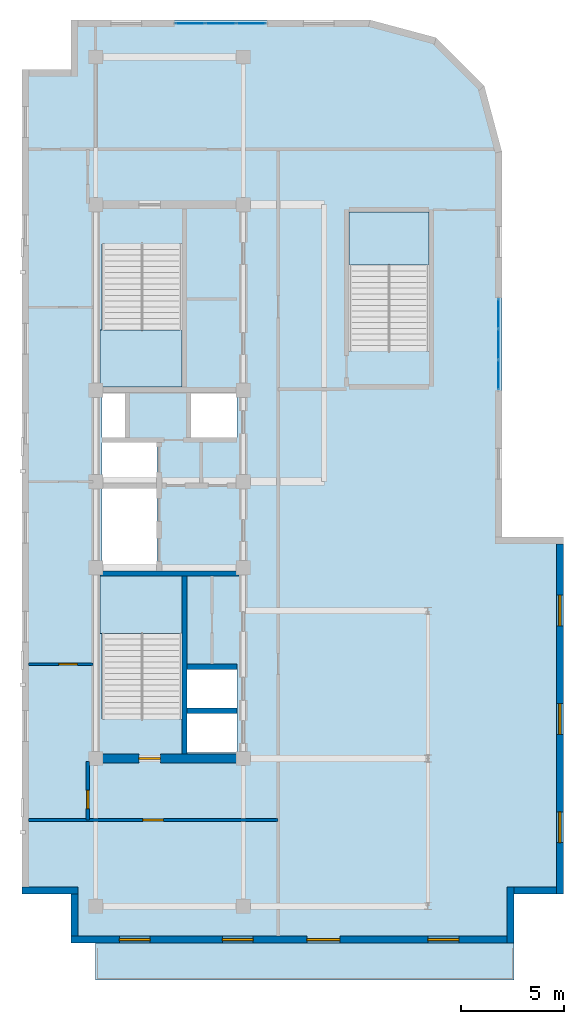
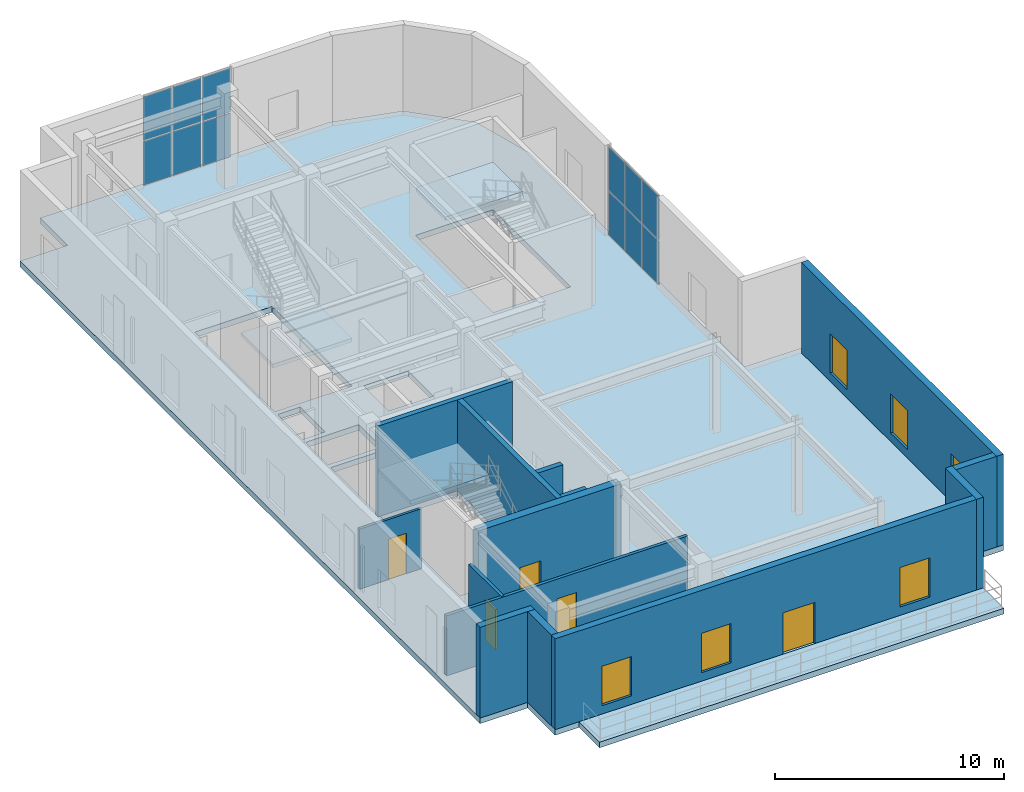
# One storey, part 6 of 10: 14 walls, 12 plates, 6 windows, 5 doors, 5 slabs, 11 openings, 5 elements without a shape of their own.
"""IFC4 building model written with IfcOpenShell, lengths in metres."""

from ifc_helpers import new_model, entity, si_unit, converted_unit, direction, frame, origin_with_axes, origin_2d_with_axis, place, context, subcontext, project, spatial, polyline, rectangle, outline, extrude, material, layer, layer_set, type_object, element, fill, aggregate, save


model = new_model("IFC4")

# Units and contexts
model_context = context("Model", 3, precision=1e-05, world=origin_with_axes(), true_north=direction((0.0, 1.0)))
body_context = subcontext(model_context, "Body", "Model", "MODEL_VIEW")
ifc_project = project(units=[si_unit("LENGTHUNIT", "METRE"), si_unit("AREAUNIT", "SQUARE_METRE"), si_unit("VOLUMEUNIT", "CUBIC_METRE"), converted_unit("PLANEANGLEUNIT", "DEGREE", entity("IfcPlaneAngleMeasure", 0.017453292519943295), si_unit("PLANEANGLEUNIT", "RADIAN"), dimensions=[0, 0, 0, 0, 0, 0, 0]), si_unit("MASSUNIT", "GRAM", prefix="KILO"), si_unit("THERMODYNAMICTEMPERATUREUNIT", "KELVIN")], contexts=[model_context])

# Site, building, storey
site_placement = place(None, origin_with_axes())
site = spatial("IfcSite", under=ifc_project, at=site_placement, CompositionType="ELEMENT")
building_placement = place(site_placement, origin_with_axes())
building = spatial("IfcBuilding", under=site, at=building_placement, Name="Varnlund Millrace Tower", CompositionType="ELEMENT")
storey_placement = place(building_placement, frame((0.0, 0.0, 303.6), z_axis=(0.0, 0.0, 1.0), x_axis=(1.0, 0.0, 0.0)))
storey = spatial("IfcBuildingStorey", under=building, at=storey_placement, Name="L75", CompositionType="ELEMENT", Elevation=303.6)

# Curtain wall, plates
ifc_material_1 = material(Name="Thermally broken architectural bronze curtain wall", Category="aluminium")
curtain_wall_type = type_object("IfcCurtainWallType", Name="Type-CW-Sys5-SkyLobby2Pool", PredefinedType="NOTDEFINED", material=ifc_material_1)
curtain_wall_1_placement = place(storey_placement, frame((31.03, 33.25, 0.0), z_axis=(0.0, 0.0, 1.0), x_axis=(1.0, 0.0, 0.0)))
curtain_wall_1 = element("IfcCurtainWall", 1, at=curtain_wall_1_placement, inside=storey, type_object=curtain_wall_type, Name="Type-CW-Sys5-SkyLobby2Pool", PredefinedType="NOTDEFINED")
ifc_material_2 = material(Name="Low-e argon triple-glazed curtain-wall unit", Category="glass")
ifc_layer_1 = layer(ifc_material_2, 0.028, Name="Low-e argon triple-glazed curtain-wall unit")
ifc_layer_set_1 = layer_set([ifc_layer_1], Name="Low-e argon triple-glazed curtain-wall unit")
plate_type = type_object("IfcPlateType", Name="Type-CW-Panel-TripleGlazed-28", PredefinedType="CURTAIN_PANEL", material=ifc_layer_set_1)
plate_1_placement = place(storey_placement, frame((31.03, 32.485, 0.06), z_axis=(0.0, 0.0, 1.0), x_axis=(0.0, -1.0, 0.0)))
plate_1 = element("IfcPlate", 2, at=plate_1_placement, type_object=plate_type, Name="CW-05 panel 1.1", PredefinedType="CURTAIN_PANEL", context=body_context, shape_type="SweptSolid", body=[
    extrude(rectangle(XDim=1.41, YDim=0.028, at=origin_2d_with_axis()), origin_with_axes(), (0.0, 0.0, 1.0), 2.33),
])
plate_2_placement = place(storey_placement, frame((31.03, 32.485, 2.45), z_axis=(0.0, 0.0, 1.0), x_axis=(0.0, -1.0, 0.0)))
plate_2 = element("IfcPlate", 3, at=plate_2_placement, type_object=plate_type, Name="CW-05 panel 1.2", PredefinedType="CURTAIN_PANEL", context=body_context, shape_type="SweptSolid", body=[
    extrude(rectangle(XDim=1.41, YDim=0.028, at=origin_2d_with_axis()), origin_with_axes(), (0.0, 0.0, 1.0), 2.33),
])
plate_3_placement = place(storey_placement, frame((31.03, 31.0, 0.06), z_axis=(0.0, 0.0, 1.0), x_axis=(0.0, -1.0, 0.0)))
plate_3 = element("IfcPlate", 4, at=plate_3_placement, type_object=plate_type, Name="CW-05 panel 2.1", PredefinedType="CURTAIN_PANEL", context=body_context, shape_type="SweptSolid", body=[
    extrude(rectangle(XDim=1.44, YDim=0.028, at=origin_2d_with_axis()), origin_with_axes(), (0.0, 0.0, 1.0), 2.33),
])
plate_4_placement = place(storey_placement, frame((31.03, 31.0, 2.45), z_axis=(0.0, 0.0, 1.0), x_axis=(0.0, -1.0, 0.0)))
plate_4 = element("IfcPlate", 5, at=plate_4_placement, type_object=plate_type, Name="CW-05 panel 2.2", PredefinedType="CURTAIN_PANEL", context=body_context, shape_type="SweptSolid", body=[
    extrude(rectangle(XDim=1.44, YDim=0.028, at=origin_2d_with_axis()), origin_with_axes(), (0.0, 0.0, 1.0), 2.33),
])
plate_5_placement = place(storey_placement, frame((31.03, 29.515, 0.06), z_axis=(0.0, 0.0, 1.0), x_axis=(0.0, -1.0, 0.0)))
plate_5 = element("IfcPlate", 6, at=plate_5_placement, type_object=plate_type, Name="CW-05 panel 3.1", PredefinedType="CURTAIN_PANEL", context=body_context, shape_type="SweptSolid", body=[
    extrude(rectangle(XDim=1.41, YDim=0.028, at=origin_2d_with_axis()), origin_with_axes(), (0.0, 0.0, 1.0), 2.33),
])
plate_6_placement = place(storey_placement, frame((31.03, 29.515, 2.45), z_axis=(0.0, 0.0, 1.0), x_axis=(0.0, -1.0, 0.0)))
plate_6 = element("IfcPlate", 7, at=plate_6_placement, type_object=plate_type, Name="CW-05 panel 3.2", PredefinedType="CURTAIN_PANEL", context=body_context, shape_type="SweptSolid", body=[
    extrude(rectangle(XDim=1.41, YDim=0.028, at=origin_2d_with_axis()), origin_with_axes(), (0.0, 0.0, 1.0), 2.33),
])
aggregate(curtain_wall_1, [plate_1, plate_2, plate_3, plate_4, plate_5, plate_6])

curtain_wall_2_placement = place(storey_placement, frame((15.25, 46.63, 0.0), z_axis=(0.0, 0.0, 1.0), x_axis=(1.0, 0.0, 0.0)))
curtain_wall_2 = element("IfcCurtainWall", 8, at=curtain_wall_2_placement, inside=storey, type_object=curtain_wall_type, Name="Type-CW-Sys5-SkyLobby2Pool", PredefinedType="NOTDEFINED")
plate_7_placement = place(storey_placement, frame((16.015, 46.63, 0.06), z_axis=(0.0, 0.0, 1.0), x_axis=(1.0, 0.0, 0.0)))
plate_7 = element("IfcPlate", 9, at=plate_7_placement, type_object=plate_type, Name="CW-05 panel 1.1", PredefinedType="CURTAIN_PANEL", context=body_context, shape_type="SweptSolid", body=[
    extrude(rectangle(XDim=1.41, YDim=0.028, at=origin_2d_with_axis()), origin_with_axes(), (0.0, 0.0, 1.0), 2.33),
])
plate_8_placement = place(storey_placement, frame((16.015, 46.63, 2.45), z_axis=(0.0, 0.0, 1.0), x_axis=(1.0, 0.0, 0.0)))
plate_8 = element("IfcPlate", 10, at=plate_8_placement, type_object=plate_type, Name="CW-05 panel 1.2", PredefinedType="CURTAIN_PANEL", context=body_context, shape_type="SweptSolid", body=[
    extrude(rectangle(XDim=1.41, YDim=0.028, at=origin_2d_with_axis()), origin_with_axes(), (0.0, 0.0, 1.0), 2.33),
])
plate_9_placement = place(storey_placement, frame((17.5, 46.63, 0.06), z_axis=(0.0, 0.0, 1.0), x_axis=(1.0, 0.0, 0.0)))
plate_9 = element("IfcPlate", 11, at=plate_9_placement, type_object=plate_type, Name="CW-05 panel 2.1", PredefinedType="CURTAIN_PANEL", context=body_context, shape_type="SweptSolid", body=[
    extrude(rectangle(XDim=1.44, YDim=0.028, at=origin_2d_with_axis()), origin_with_axes(), (0.0, 0.0, 1.0), 2.33),
])
plate_10_placement = place(storey_placement, frame((17.5, 46.63, 2.45), z_axis=(0.0, 0.0, 1.0), x_axis=(1.0, 0.0, 0.0)))
plate_10 = element("IfcPlate", 12, at=plate_10_placement, type_object=plate_type, Name="CW-05 panel 2.2", PredefinedType="CURTAIN_PANEL", context=body_context, shape_type="SweptSolid", body=[
    extrude(rectangle(XDim=1.44, YDim=0.028, at=origin_2d_with_axis()), origin_with_axes(), (0.0, 0.0, 1.0), 2.33),
])
plate_11_placement = place(storey_placement, frame((18.985, 46.63, 0.06), z_axis=(0.0, 0.0, 1.0), x_axis=(1.0, 0.0, 0.0)))
plate_11 = element("IfcPlate", 13, at=plate_11_placement, type_object=plate_type, Name="CW-05 panel 3.1", PredefinedType="CURTAIN_PANEL", context=body_context, shape_type="SweptSolid", body=[
    extrude(rectangle(XDim=1.41, YDim=0.028, at=origin_2d_with_axis()), origin_with_axes(), (0.0, 0.0, 1.0), 2.33),
])
plate_12_placement = place(storey_placement, frame((18.985, 46.63, 2.45), z_axis=(0.0, 0.0, 1.0), x_axis=(1.0, 0.0, 0.0)))
plate_12 = element("IfcPlate", 14, at=plate_12_placement, type_object=plate_type, Name="CW-05 panel 3.2", PredefinedType="CURTAIN_PANEL", context=body_context, shape_type="SweptSolid", body=[
    extrude(rectangle(XDim=1.41, YDim=0.028, at=origin_2d_with_axis()), origin_with_axes(), (0.0, 0.0, 1.0), 2.33),
])
aggregate(curtain_wall_2, [plate_7, plate_8, plate_9, plate_10, plate_11, plate_12])

# Slabs
ifc_material_3 = material(Name="Concrete C50/60", Category="concrete")
ifc_layer_2 = layer(ifc_material_3, 0.3, Name="Concrete C50/60")
ifc_layer_set_2 = layer_set([ifc_layer_2], Name="Concrete C50/60")
slab_type_1 = type_object("IfcSlabType", Name="Type-Cap-Deck-Terrace-300", PredefinedType="ROOF", material=ifc_layer_set_2)
slab_1_placement = place(storey_placement, frame((0.0, 0.0, -0.3), z_axis=(0.0, 0.0, 1.0), x_axis=(1.0, 0.0, 0.0)))
element("IfcSlab", 15, at=slab_1_placement, inside=storey, type_object=slab_type_1, Name="Roof terrace", PredefinedType="ROOF", context=body_context, shape_type="SweptSolid", body=[
    extrude(outline(polyline([(31.8, 0.0), (31.8, 1.8), (11.4, 1.8), (11.4, 0.0), (31.8, 0.0)])), origin_with_axes(), (0.0, 0.0, 1.0), 0.3),
])
ifc_material_4 = material(Name="Concrete C70/85", Category="concrete")
ifc_layer_3 = layer(ifc_material_4, 0.3, Name="Concrete C70/85")
ifc_layer_set_3 = layer_set([ifc_layer_3], Name="Concrete C70/85")
slab_type_2 = type_object("IfcSlabType", Name="Type-Deck-Plate-Transfer-300", PredefinedType="FLOOR", material=ifc_layer_set_3)
slab_2_placement = place(storey_placement, frame((0.0, 0.0, -0.3), z_axis=(0.0, 0.0, 1.0), x_axis=(1.0, 0.0, 0.0)))
element("IfcSlab", 16, at=slab_2_placement, inside=storey, type_object=slab_type_2, Name="Type-Deck-Plate-Transfer-300", PredefinedType="FLOOR", context=body_context, shape_type="SweptSolid", body=[
    extrude(outline(polyline([(34.2, 21.6), (31.2, 21.6), (31.2, 40.4), (30.343, 43.6), (28.0, 45.943), (24.8, 46.8), (10.2, 46.8), (10.2, 44.4), (7.8, 44.4), (7.8, 4.2), (10.2, 4.2), (10.2, 1.8), (31.8, 1.8), (31.8, 4.2), (34.2, 4.2), (34.2, 21.6)]), holes=[polyline([(18.3, 13.1), (18.3, 11.1), (15.84, 11.1), (15.84, 13.1), (18.3, 13.1)]), polyline([(18.3, 15.24), (18.3, 13.16), (15.84, 13.16), (15.84, 15.24), (18.3, 15.24)]), polyline([(15.6, 19.7), (15.6, 12.715), (11.7, 12.715), (11.7, 19.7), (15.6, 19.7)]), polyline([(11.7, 23.98), (14.38, 23.98), (14.38, 19.94), (11.7, 19.94), (11.7, 23.98)]), polyline([(14.38, 26.2), (14.38, 24.24), (11.7, 24.24), (11.7, 26.2), (14.38, 26.2)]), polyline([(12.84, 28.65), (12.84, 26.46), (11.7, 26.46), (11.7, 28.65), (12.84, 28.65)]), polyline([(18.3, 28.65), (18.3, 26.46), (16.04, 26.46), (16.04, 28.65), (18.3, 28.65)]), polyline([(15.6, 28.9), (11.7, 28.9), (11.7, 35.885), (15.6, 35.885), (15.6, 28.9)]), polyline([(27.65, 30.665), (23.75, 30.665), (23.75, 37.45), (27.65, 37.45), (27.65, 30.665)])]), origin_with_axes(), (0.0, 0.0, 1.0), 0.3),
])

# Stair, slab
stair_type = type_object("IfcStairType", Name="Type-Stair-Dogleg-185-510", PredefinedType="HALF_TURN_STAIR", material=ifc_material_3)
stair_1_placement = place(storey_placement, origin_with_axes())
stair_1 = element("IfcStair", 17, at=stair_1_placement, inside=storey, type_object=stair_type, Name="Type-Stair-Dogleg-185-510", PredefinedType="HALF_TURN_STAIR")
ifc_layer_4 = layer(ifc_material_3, 0.2, Name="Concrete C50/60")
ifc_layer_set_4 = layer_set([ifc_layer_4], Name="Concrete C50/60")
slab_type_3 = type_object("IfcSlabType", Name="Type-StairLanding-200", PredefinedType="LANDING", material=ifc_layer_set_4)
slab_3_placement = place(storey_placement, frame((0.0, 0.0, 2.35), z_axis=(0.0, 0.0, 1.0), x_axis=(1.0, 0.0, 0.0)))
slab_3 = element("IfcSlab", 18, at=slab_3_placement, type_object=slab_type_3, Name="ST-A1 landing 1", PredefinedType="LANDING", context=body_context, shape_type="SweptSolid", body=[
    extrude(outline(polyline([(15.6, 16.9), (15.6, 19.7), (11.61, 19.7), (11.61, 16.9), (15.6, 16.9)])), origin_with_axes(), (0.0, 0.0, 1.0), 0.2),
])
aggregate(stair_1, [slab_3])

stair_2_placement = place(storey_placement, origin_with_axes())
stair_2 = element("IfcStair", 19, at=stair_2_placement, inside=storey, type_object=stair_type, Name="Type-Stair-Dogleg-185-510", PredefinedType="HALF_TURN_STAIR")
slab_4_placement = place(storey_placement, frame((0.0, 0.0, 2.35), z_axis=(0.0, 0.0, 1.0), x_axis=(1.0, 0.0, 0.0)))
slab_4 = element("IfcSlab", 20, at=slab_4_placement, type_object=slab_type_3, Name="ST-A2 landing 1", PredefinedType="LANDING", context=body_context, shape_type="SweptSolid", body=[
    extrude(outline(polyline([(11.61, 31.7), (11.61, 28.9), (15.6, 28.9), (15.6, 31.7), (11.61, 31.7)])), origin_with_axes(), (0.0, 0.0, 1.0), 0.2),
])
aggregate(stair_2, [slab_4])

stair_3_placement = place(storey_placement, origin_with_axes())
stair_3 = element("IfcStair", 21, at=stair_3_placement, inside=storey, type_object=stair_type, Name="Type-Stair-Dogleg-185-510", PredefinedType="HALF_TURN_STAIR")
slab_5_placement = place(storey_placement, frame((0.0, 0.0, 2.35), z_axis=(0.0, 0.0, 1.0), x_axis=(1.0, 0.0, 0.0)))
slab_5 = element("IfcSlab", 22, at=slab_5_placement, type_object=slab_type_3, Name="ST-A3 landing 1", PredefinedType="LANDING", context=body_context, shape_type="SweptSolid", body=[
    extrude(outline(polyline([(27.65, 34.85), (27.65, 37.45), (23.75, 37.45), (23.75, 34.85), (27.65, 34.85)])), origin_with_axes(), (0.0, 0.0, 1.0), 0.2),
])
aggregate(stair_3, [slab_5])

# Wall, opening, door
ifc_material_5 = material(Name="Concrete C60/75", Category="concrete")
ifc_layer_5 = layer(ifc_material_5, 0.42, Name="Concrete C60/75")
ifc_layer_set_5 = layer_set([ifc_layer_5], Name="Concrete C60/75")
wall_type_1 = type_object("IfcWallType", Name="Type-CoreWall-Shear-420-C60", PredefinedType="SHEAR", material=ifc_layer_set_5)
wall_1_placement = place(storey_placement, frame((11.4, 10.8, 0.0), z_axis=(0.0, 0.0, 1.0), x_axis=(1.0, 0.0, 0.0)))
wall_1 = element("IfcWall", 23, at=wall_1_placement, inside=storey, type_object=wall_type_1, Name="Type-CoreWall-Shear-420-C60", PredefinedType="SHEAR", context=body_context, shape_type="SweptSolid", body=[
    extrude(outline(polyline([(0.0, -0.21), (7.2, -0.21), (7.2, 0.21), (0.0, 0.21), (0.0, -0.21)])), origin_with_axes(), (0.0, 0.0, 1.0), 4.84),
])
opening_1_placement = place(wall_1_placement, frame((2.625, 0.0, 0.0), z_axis=(0.0, 0.0, 1.0), x_axis=(1.0, 0.0, 0.0)))
opening_1 = element("IfcOpeningElement", 24, at=opening_1_placement, cuts=wall_1, Name="Opening L75:DR-STA1", PredefinedType="OPENING", context=body_context, shape_type="SweptSolid", body=[
    extrude(rectangle(XDim=1.05, YDim=0.44, at=origin_2d_with_axis()), origin_with_axes(), (0.0, 0.0, 1.0), 2.15),
])
ifc_material_6 = material(Name="Fire-rated hollow steel door", Category="steel")
door_type_1 = type_object("IfcDoorType", Name="Type-FireDoor-Stair-1050X2150", OperationType="NOTDEFINED", PredefinedType="DOOR", material=ifc_material_6)
door_1_placement = place(wall_1_placement, frame((2.625, 0.0, 0.0), z_axis=(0.0, 0.0, 1.0), x_axis=(1.0, 0.0, 0.0)))
door_1 = element("IfcDoor", 25, at=door_1_placement, inside=storey, type_object=door_type_1, Name="Type-FireDoor-Stair-1050X2150", OperationType="SINGLE_SWING_LEFT", OverallHeight=2.15, OverallWidth=1.05, PredefinedType="DOOR", context=body_context, shape_type="SweptSolid", body=[
    extrude(rectangle(XDim=1.05, YDim=0.09, at=origin_2d_with_axis()), origin_with_axes(), (0.0, 0.0, 1.0), 2.15),
])
fill(opening_1, door_1)

# Walls
ifc_material_7 = material(Name="Precast concrete C50/60", Category="concrete")
ifc_layer_6 = layer(ifc_material_7, 0.34, Name="Precast concrete C50/60")
ifc_layer_set_6 = layer_set([ifc_layer_6], Name="Precast concrete C50/60")
wall_type_2 = type_object("IfcWallType", Name="Type-ExtWall-Precast-Upper-340", PredefinedType="SOLIDWALL", material=ifc_layer_set_6)
wall_2_placement = place(storey_placement, frame((33.86, 4.37, 0.0), z_axis=(0.0, 0.0, 1.0), x_axis=(-1.0, 0.0, 0.0)))
element("IfcWall", 26, at=wall_2_placement, inside=storey, type_object=wall_type_2, Name="Type-ExtWall-Precast-Upper-340", PredefinedType="SOLIDWALL", context=body_context, shape_type="SweptSolid", body=[
    extrude(outline(polyline([(0.0, -0.17), (2.06, -0.17), (2.06, 0.17), (0.0, 0.17), (0.0, -0.17)])), origin_with_axes(), (0.0, 0.0, 1.0), 4.84),
])
wall_3_placement = place(storey_placement, frame((31.63, 4.54, 0.0), z_axis=(0.0, 0.0, 1.0), x_axis=(0.0, -1.0, 0.0)))
element("IfcWall", 27, at=wall_3_placement, inside=storey, type_object=wall_type_2, Name="Type-ExtWall-Precast-Upper-340", PredefinedType="SOLIDWALL", context=body_context, shape_type="SweptSolid", body=[
    extrude(outline(polyline([(0.0, -0.17), (2.74, -0.17), (2.74, 0.17), (0.0, 0.17), (0.0, -0.17)])), origin_with_axes(), (0.0, 0.0, 1.0), 4.84),
])

# Wall, openings, door, windows
wall_4_placement = place(storey_placement, frame((31.46, 1.97, 0.0), z_axis=(0.0, 0.0, 1.0), x_axis=(-1.0, 0.0, 0.0)))
wall_4 = element("IfcWall", 28, at=wall_4_placement, inside=storey, type_object=wall_type_2, Name="Type-ExtWall-Precast-Upper-340", PredefinedType="SOLIDWALL", context=body_context, shape_type="SweptSolid", body=[
    extrude(outline(polyline([(0.0, -0.17), (21.26, -0.17), (21.26, 0.17), (0.0, 0.17), (0.0, -0.17)])), origin_with_axes(), (0.0, 0.0, 1.0), 4.84),
])
opening_2_placement = place(wall_4_placement, frame((8.96, 0.0, 0.0), z_axis=(0.0, 0.0, 1.0), x_axis=(1.0, 0.0, 0.0)))
opening_2 = element("IfcOpeningElement", 29, at=opening_2_placement, cuts=wall_4, Name="Opening L75:DR-TERR-L75", PredefinedType="OPENING", context=body_context, shape_type="SweptSolid", body=[
    extrude(rectangle(XDim=1.6, YDim=0.36, at=origin_2d_with_axis()), origin_with_axes(), (0.0, 0.0, 1.0), 2.2),
])
opening_3_placement = place(wall_4_placement, frame((3.108, 0.0, 0.45), z_axis=(0.0, 0.0, 1.0), x_axis=(1.0, 0.0, 0.0)))
opening_3 = element("IfcOpeningElement", 30, at=opening_3_placement, cuts=wall_4, Name="Opening L75:WN-01", PredefinedType="OPENING", context=body_context, shape_type="SweptSolid", body=[
    extrude(rectangle(XDim=1.5, YDim=0.36, at=origin_2d_with_axis()), origin_with_axes(), (0.0, 0.0, 1.0), 2.1),
])
opening_4_placement = place(wall_4_placement, frame((13.138, 0.0, 0.45), z_axis=(0.0, 0.0, 1.0), x_axis=(1.0, 0.0, 0.0)))
opening_4 = element("IfcOpeningElement", 31, at=opening_4_placement, cuts=wall_4, Name="Opening L75:WN-02", PredefinedType="OPENING", context=body_context, shape_type="SweptSolid", body=[
    extrude(rectangle(XDim=1.5, YDim=0.36, at=origin_2d_with_axis()), origin_with_axes(), (0.0, 0.0, 1.0), 2.1),
])
opening_5_placement = place(wall_4_placement, frame((18.153, 0.0, 0.45), z_axis=(0.0, 0.0, 1.0), x_axis=(1.0, 0.0, 0.0)))
opening_5 = element("IfcOpeningElement", 32, at=opening_5_placement, cuts=wall_4, Name="Opening L75:WN-03", PredefinedType="OPENING", context=body_context, shape_type="SweptSolid", body=[
    extrude(rectangle(XDim=1.5, YDim=0.36, at=origin_2d_with_axis()), origin_with_axes(), (0.0, 0.0, 1.0), 2.1),
])
ifc_material_8 = material(Name="Thermally broken architectural bronze and insulated glass door", Category="glass")
door_type_2 = type_object("IfcDoorType", Name="Type-ExtDoor-Terrace-1600X2200", OperationType="NOTDEFINED", PredefinedType="DOOR", material=ifc_material_8)
door_2_placement = place(wall_4_placement, frame((8.96, 0.0, 0.0), z_axis=(0.0, 0.0, 1.0), x_axis=(1.0, 0.0, 0.0)))
door_2 = element("IfcDoor", 33, at=door_2_placement, inside=storey, type_object=door_type_2, Name="Type-ExtDoor-Terrace-1600X2200", OperationType="DOUBLE_DOOR_SINGLE_SWING", OverallHeight=2.2, OverallWidth=1.6, PredefinedType="DOOR", context=body_context, shape_type="SweptSolid", body=[
    extrude(rectangle(XDim=1.6, YDim=0.09, at=origin_2d_with_axis()), origin_with_axes(), (0.0, 0.0, 1.0), 2.2),
])
fill(opening_2, door_2)
ifc_material_9 = material(Name="Argon low-e triple glazing in thermally broken bronze frame", Category="glass")
window_type = type_object("IfcWindowType", Name="Type-Window-Punched-1500X2100", PartitioningType="SINGLE_PANEL", PredefinedType="WINDOW", material=ifc_material_9)
window_1_placement = place(wall_4_placement, frame((3.108, 0.0, 0.45), z_axis=(0.0, 0.0, 1.0), x_axis=(1.0, 0.0, 0.0)))
window_1 = element("IfcWindow", 34, at=window_1_placement, inside=storey, type_object=window_type, Name="Type-Window-Punched-1500X2100", OverallHeight=2.1, OverallWidth=1.5, PredefinedType="WINDOW", context=body_context, shape_type="SweptSolid", body=[
    extrude(rectangle(XDim=1.5, YDim=0.09, at=origin_2d_with_axis()), origin_with_axes(), (0.0, 0.0, 1.0), 2.1),
])
fill(opening_3, window_1)
window_2_placement = place(wall_4_placement, frame((13.138, 0.0, 0.45), z_axis=(0.0, 0.0, 1.0), x_axis=(1.0, 0.0, 0.0)))
window_2 = element("IfcWindow", 35, at=window_2_placement, inside=storey, type_object=window_type, Name="Type-Window-Punched-1500X2100", OverallHeight=2.1, OverallWidth=1.5, PredefinedType="WINDOW", context=body_context, shape_type="SweptSolid", body=[
    extrude(rectangle(XDim=1.5, YDim=0.09, at=origin_2d_with_axis()), origin_with_axes(), (0.0, 0.0, 1.0), 2.1),
])
fill(opening_4, window_2)
window_3_placement = place(wall_4_placement, frame((18.153, 0.0, 0.45), z_axis=(0.0, 0.0, 1.0), x_axis=(1.0, 0.0, 0.0)))
window_3 = element("IfcWindow", 36, at=window_3_placement, inside=storey, type_object=window_type, Name="Type-Window-Punched-1500X2100", OverallHeight=2.1, OverallWidth=1.5, PredefinedType="WINDOW", context=body_context, shape_type="SweptSolid", body=[
    extrude(rectangle(XDim=1.5, YDim=0.09, at=origin_2d_with_axis()), origin_with_axes(), (0.0, 0.0, 1.0), 2.1),
])
fill(opening_5, window_3)

# Walls
wall_5_placement = place(storey_placement, frame((10.37, 2.14, 0.0), z_axis=(0.0, 0.0, 1.0), x_axis=(0.0, 1.0, 0.0)))
element("IfcWall", 37, at=wall_5_placement, inside=storey, type_object=wall_type_2, Name="Type-ExtWall-Precast-Upper-340", PredefinedType="SOLIDWALL", context=body_context, shape_type="SweptSolid", body=[
    extrude(outline(polyline([(0.0, -0.17), (2.06, -0.17), (2.06, 0.17), (0.0, 0.17), (0.0, -0.17)])), origin_with_axes(), (0.0, 0.0, 1.0), 4.84),
])
wall_6_placement = place(storey_placement, frame((10.54, 4.37, 0.0), z_axis=(0.0, 0.0, 1.0), x_axis=(-1.0, 0.0, 0.0)))
element("IfcWall", 38, at=wall_6_placement, inside=storey, type_object=wall_type_2, Name="Type-ExtWall-Precast-Upper-340", PredefinedType="SOLIDWALL", context=body_context, shape_type="SweptSolid", body=[
    extrude(outline(polyline([(0.0, -0.17), (2.74, -0.17), (2.74, 0.17), (0.0, 0.17), (0.0, -0.17)])), origin_with_axes(), (0.0, 0.0, 1.0), 4.84),
])

# Wall, openings, windows
wall_7_placement = place(storey_placement, frame((34.03, 21.26, 0.0), z_axis=(0.0, 0.0, 1.0), x_axis=(0.0, -1.0, 0.0)))
wall_7 = element("IfcWall", 39, at=wall_7_placement, inside=storey, type_object=wall_type_2, Name="Type-ExtWall-Precast-Upper-340", PredefinedType="SOLIDWALL", context=body_context, shape_type="SweptSolid", body=[
    extrude(outline(polyline([(0.0, -0.17), (17.06, -0.17), (17.06, 0.17), (0.0, 0.17), (0.0, -0.17)])), origin_with_axes(), (0.0, 0.0, 1.0), 4.84),
])
opening_6_placement = place(wall_7_placement, frame((3.243, 0.0, 0.45), z_axis=(0.0, 0.0, 1.0), x_axis=(1.0, 0.0, 0.0)))
opening_6 = element("IfcOpeningElement", 40, at=opening_6_placement, cuts=wall_7, Name="Opening L75:WN-15", PredefinedType="OPENING", context=body_context, shape_type="SweptSolid", body=[
    extrude(rectangle(XDim=1.5, YDim=0.36, at=origin_2d_with_axis()), origin_with_axes(), (0.0, 0.0, 1.0), 2.1),
])
opening_7_placement = place(wall_7_placement, frame((8.53, 0.0, 0.45), z_axis=(0.0, 0.0, 1.0), x_axis=(1.0, 0.0, 0.0)))
opening_7 = element("IfcOpeningElement", 41, at=opening_7_placement, cuts=wall_7, Name="Opening L75:WN-16", PredefinedType="OPENING", context=body_context, shape_type="SweptSolid", body=[
    extrude(rectangle(XDim=1.5, YDim=0.36, at=origin_2d_with_axis()), origin_with_axes(), (0.0, 0.0, 1.0), 2.1),
])
opening_8_placement = place(wall_7_placement, frame((13.817, 0.0, 0.45), z_axis=(0.0, 0.0, 1.0), x_axis=(1.0, 0.0, 0.0)))
opening_8 = element("IfcOpeningElement", 42, at=opening_8_placement, cuts=wall_7, Name="Opening L75:WN-17", PredefinedType="OPENING", context=body_context, shape_type="SweptSolid", body=[
    extrude(rectangle(XDim=1.5, YDim=0.36, at=origin_2d_with_axis()), origin_with_axes(), (0.0, 0.0, 1.0), 2.1),
])
window_4_placement = place(wall_7_placement, frame((3.243, 0.0, 0.45), z_axis=(0.0, 0.0, 1.0), x_axis=(1.0, 0.0, 0.0)))
window_4 = element("IfcWindow", 43, at=window_4_placement, inside=storey, type_object=window_type, Name="Type-Window-Punched-1500X2100", OverallHeight=2.1, OverallWidth=1.5, PredefinedType="WINDOW", context=body_context, shape_type="SweptSolid", body=[
    extrude(rectangle(XDim=1.5, YDim=0.09, at=origin_2d_with_axis()), origin_with_axes(), (0.0, 0.0, 1.0), 2.1),
])
fill(opening_6, window_4)
window_5_placement = place(wall_7_placement, frame((8.53, 0.0, 0.45), z_axis=(0.0, 0.0, 1.0), x_axis=(1.0, 0.0, 0.0)))
window_5 = element("IfcWindow", 44, at=window_5_placement, inside=storey, type_object=window_type, Name="Type-Window-Punched-1500X2100", OverallHeight=2.1, OverallWidth=1.5, PredefinedType="WINDOW", context=body_context, shape_type="SweptSolid", body=[
    extrude(rectangle(XDim=1.5, YDim=0.09, at=origin_2d_with_axis()), origin_with_axes(), (0.0, 0.0, 1.0), 2.1),
])
fill(opening_7, window_5)
window_6_placement = place(wall_7_placement, frame((13.817, 0.0, 0.45), z_axis=(0.0, 0.0, 1.0), x_axis=(1.0, 0.0, 0.0)))
window_6 = element("IfcWindow", 45, at=window_6_placement, inside=storey, type_object=window_type, Name="Type-Window-Punched-1500X2100", OverallHeight=2.1, OverallWidth=1.5, PredefinedType="WINDOW", context=body_context, shape_type="SweptSolid", body=[
    extrude(rectangle(XDim=1.5, YDim=0.09, at=origin_2d_with_axis()), origin_with_axes(), (0.0, 0.0, 1.0), 2.1),
])
fill(opening_8, window_6)

# Wall, opening, door
ifc_material_10 = material(Name="Fire-rated gypsum board on cold-formed steel framing", Category="steel")
ifc_layer_7 = layer(ifc_material_10, 0.16, Name="Fire-rated gypsum board on cold-formed steel framing")
ifc_layer_set_7 = layer_set([ifc_layer_7], Name="Fire-rated gypsum board on cold-formed steel framing")
wall_type_3 = type_object("IfcWallType", Name="Type-Partition-Corridor-160", PredefinedType="PARTITIONING", material=ifc_layer_set_7)
wall_8_placement = place(storey_placement, frame((8.135, 7.8, 0.0), z_axis=(0.0, 0.0, 1.0), x_axis=(1.0, 0.0, 0.0)))
wall_8 = element("IfcWall", 46, at=wall_8_placement, inside=storey, type_object=wall_type_3, Name="Type-Partition-Corridor-160", PredefinedType="PARTITIONING", context=body_context, shape_type="SweptSolid", body=[
    extrude(outline(polyline([(0.0, -0.08), (12.165, -0.08), (12.165, 0.08), (0.0, 0.08), (0.0, -0.08)])), origin_with_axes(), (0.0, 0.0, 1.0), 3.2),
])
opening_9_placement = place(wall_8_placement, frame((6.065, 0.0, 0.0), z_axis=(0.0, 0.0, 1.0), x_axis=(1.0, 0.0, 0.0)))
opening_9 = element("IfcOpeningElement", 47, at=opening_9_placement, cuts=wall_8, Name="Opening L75:DR-WAS-01", PredefinedType="OPENING", context=body_context, shape_type="SweptSolid", body=[
    extrude(rectangle(XDim=1.0, YDim=0.18, at=origin_2d_with_axis()), origin_with_axes(), (0.0, 0.0, 1.0), 2.15),
])
ifc_material_11 = material(Name="Solid-core white oak and bronze frame door")
door_type_3 = type_object("IfcDoorType", Name="Type-IntDoor-Office-1000X2150", OperationType="NOTDEFINED", PredefinedType="DOOR", material=ifc_material_11)
door_3_placement = place(wall_8_placement, frame((6.065, 0.0, 0.0), z_axis=(0.0, 0.0, 1.0), x_axis=(1.0, 0.0, 0.0)))
door_3 = element("IfcDoor", 48, at=door_3_placement, inside=storey, type_object=door_type_3, Name="Type-IntDoor-Office-1000X2150", OperationType="SINGLE_SWING_LEFT", OverallHeight=2.15, OverallWidth=1.0, PredefinedType="DOOR", context=body_context, shape_type="SweptSolid", body=[
    extrude(rectangle(XDim=1.0, YDim=0.09, at=origin_2d_with_axis()), origin_with_axes(), (0.0, 0.0, 1.0), 2.15),
])
fill(opening_9, door_3)

wall_9_placement = place(storey_placement, frame((11.02, 7.8, 0.0), z_axis=(0.0, 0.0, 1.0), x_axis=(0.0, 1.0, 0.0)))
wall_9 = element("IfcWall", 49, at=wall_9_placement, inside=storey, type_object=wall_type_3, Name="Type-Partition-Corridor-160", PredefinedType="PARTITIONING", context=body_context, shape_type="SweptSolid", body=[
    extrude(outline(polyline([(0.0, -0.08), (2.85, -0.08), (2.85, 0.08), (0.0, 0.08), (0.0, -0.08)])), origin_with_axes(), (0.0, 0.0, 1.0), 3.2),
])
opening_10_placement = place(wall_9_placement, frame((1.0, 0.0, 0.0), z_axis=(0.0, 0.0, 1.0), x_axis=(1.0, 0.0, 0.0)))
opening_10 = element("IfcOpeningElement", 50, at=opening_10_placement, cuts=wall_9, Name="Opening L75:DR-WU-S1", PredefinedType="OPENING", context=body_context, shape_type="SweptSolid", body=[
    extrude(rectangle(XDim=0.9, YDim=0.18, at=origin_2d_with_axis()), origin_with_axes(), (0.0, 0.0, 1.0), 2.15),
])
ifc_material_12 = material(Name="Painted steel riser and closet door", Category="steel")
door_type_4 = type_object("IfcDoorType", Name="Type-IntDoor-Closet-900X2150", OperationType="NOTDEFINED", PredefinedType="DOOR", material=ifc_material_12)
door_4_placement = place(wall_9_placement, frame((1.0, 0.0, 0.0), z_axis=(0.0, 0.0, 1.0), x_axis=(1.0, 0.0, 0.0)))
door_4 = element("IfcDoor", 51, at=door_4_placement, inside=storey, type_object=door_type_4, Name="Type-IntDoor-Closet-900X2150", OperationType="SINGLE_SWING_LEFT", OverallHeight=2.15, OverallWidth=0.9, PredefinedType="DOOR", context=body_context, shape_type="SweptSolid", body=[
    extrude(rectangle(XDim=0.9, YDim=0.09, at=origin_2d_with_axis()), origin_with_axes(), (0.0, 0.0, 1.0), 2.15),
])
fill(opening_10, door_4)

ifc_material_13 = material(Name="Gypsum board tenant partition", Category="gypsum")
ifc_layer_8 = layer(ifc_material_13, 0.125, Name="Gypsum board tenant partition")
ifc_layer_set_8 = layer_set([ifc_layer_8], Name="Gypsum board tenant partition")
wall_type_4 = type_object("IfcWallType", Name="Type-Partition-Tenant-125", PredefinedType="PARTITIONING", material=ifc_layer_set_8)
wall_10_placement = place(storey_placement, frame((8.135, 15.4, 0.0), z_axis=(0.0, 0.0, 1.0), x_axis=(1.0, 0.0, 0.0)))
wall_10 = element("IfcWall", 52, at=wall_10_placement, inside=storey, type_object=wall_type_4, Name="Type-Partition-Tenant-125", PredefinedType="PARTITIONING", context=body_context, shape_type="SweptSolid", body=[
    extrude(outline(polyline([(0.0, -0.0625), (3.135, -0.0625), (3.135, 0.0625), (0.0, 0.0625), (0.0, -0.0625)])), origin_with_axes(), (0.0, 0.0, 1.0), 3.2),
])
opening_11_placement = place(wall_10_placement, frame((1.925, 0.0, 0.0), z_axis=(0.0, 0.0, 1.0), x_axis=(1.0, 0.0, 0.0)))
opening_11 = element("IfcOpeningElement", 53, at=opening_11_placement, cuts=wall_10, Name="Opening L75:DR-WUI-1", PredefinedType="OPENING", context=body_context, shape_type="SweptSolid", body=[
    extrude(rectangle(XDim=0.9, YDim=0.145, at=origin_2d_with_axis()), origin_with_axes(), (0.0, 0.0, 1.0), 2.15),
])
door_5_placement = place(wall_10_placement, frame((1.925, 0.0, 0.0), z_axis=(0.0, 0.0, 1.0), x_axis=(1.0, 0.0, 0.0)))
door_5 = element("IfcDoor", 54, at=door_5_placement, inside=storey, type_object=door_type_4, Name="Type-IntDoor-Closet-900X2150", OperationType="SINGLE_SWING_LEFT", OverallHeight=2.15, OverallWidth=0.9, PredefinedType="DOOR", context=body_context, shape_type="SweptSolid", body=[
    extrude(rectangle(XDim=0.9, YDim=0.075, at=origin_2d_with_axis()), origin_with_axes(), (0.0, 0.0, 1.0), 2.15),
])
fill(opening_11, door_5)

# Walls
ifc_layer_9 = layer(ifc_material_5, 0.25, Name="Concrete C60/75")
ifc_layer_set_9 = layer_set([ifc_layer_9], Name="Concrete C60/75")
wall_type_5 = type_object("IfcWallType", Name="Type-ShaftWall-Fire-250", PredefinedType="SOLIDWALL", material=ifc_layer_set_9)
for number, where, z_axis, x_axis, name in (
    (55, (15.84, 13.13, 0.0), (0.0, 0.0, 1.0), (1.0, 0.0, 0.0), "Type-ShaftWall-Fire-250"),
    (56, (15.84, 15.27, 0.0), (0.0, 0.0, 1.0), (1.0, 0.0, 0.0), "Type-ShaftWall-Fire-250"),
):
    element("IfcWall", number, at=place(storey_placement, frame(where, z_axis=z_axis, x_axis=x_axis)), inside=storey, type_object=wall_type_5, Name=name, PredefinedType="SOLIDWALL", context=body_context, shape_type="SweptSolid", body=[
        extrude(outline(polyline([(0.0, -0.125), (2.46, -0.125), (2.46, 0.125), (0.0, 0.125), (0.0, -0.125)])), origin_with_axes(), (0.0, 0.0, 1.0), 3.2),
    ])
wall_type_6 = type_object("IfcWallType", Name="Type-StairWall-Shear-250", PredefinedType="SHEAR", material=ifc_layer_set_9)
wall_11_placement = place(storey_placement, frame((15.725, 11.01, 0.0), z_axis=(0.0, 0.0, 1.0), x_axis=(0.0, 1.0, 0.0)))
element("IfcWall", 57, at=wall_11_placement, inside=storey, type_object=wall_type_6, Name="Type-StairWall-Shear-250", PredefinedType="SHEAR", context=body_context, shape_type="SweptSolid", body=[
    extrude(outline(polyline([(0.0, -0.125), (8.69, -0.125), (8.69, 0.125), (0.0, 0.125), (0.0, -0.125)])), origin_with_axes(), (0.0, 0.0, 1.0), 4.84),
])
wall_12_placement = place(storey_placement, frame((11.61, 19.825, 0.0), z_axis=(0.0, 0.0, 1.0), x_axis=(1.0, 0.0, 0.0)))
element("IfcWall", 58, at=wall_12_placement, inside=storey, type_object=wall_type_6, Name="Type-StairWall-Shear-250", PredefinedType="SHEAR", context=body_context, shape_type="SweptSolid", body=[
    extrude(outline(polyline([(0.0, -0.125), (6.78, -0.125), (6.78, 0.125), (0.0, 0.125), (0.0, -0.125)])), origin_with_axes(), (0.0, 0.0, 1.0), 4.84),
])

save(model, "model.ifc")
